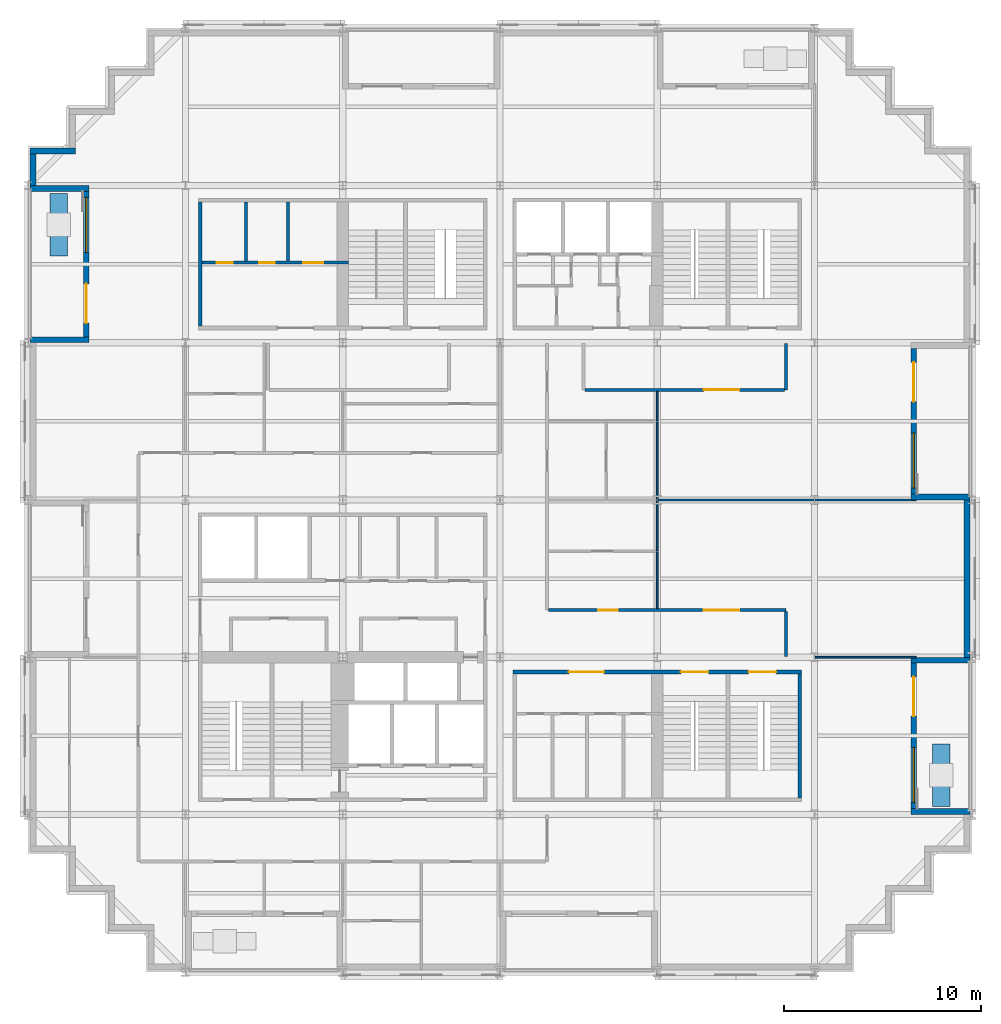
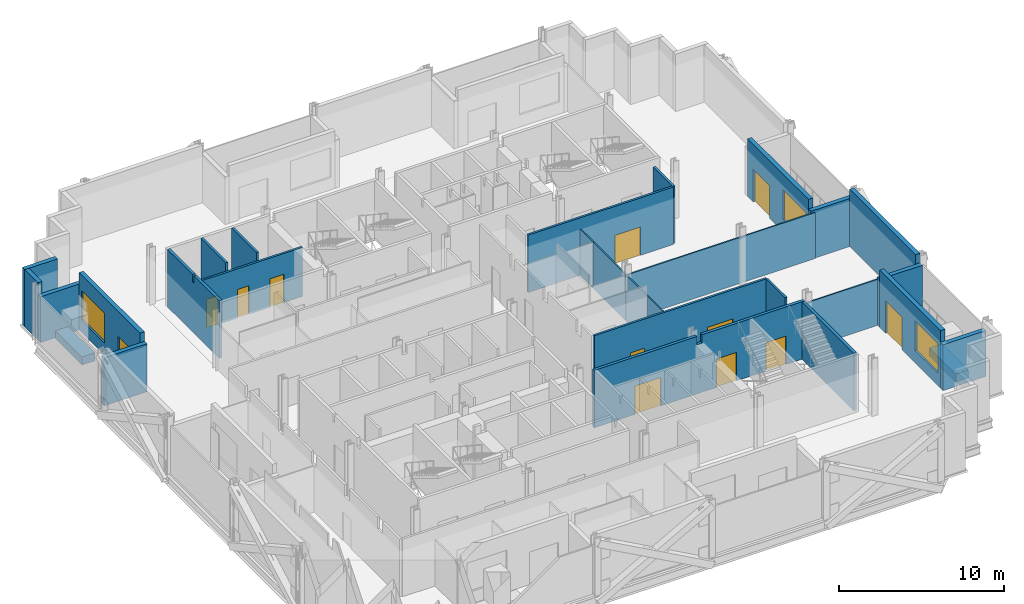
# One storey, part 8 of 14: 29 walls, 12 doors, 3 windows, 15 openings.
"""IFC4 building model written with IfcOpenShell, lengths in metres."""

from ifc_helpers import new_model, si_unit, direction, frame, frame_2d, origin, place, context, subcontext, project, spatial, polyline, rectangle, outline, extrude, material, layer, layer_set, type_object, element, fill, save


model = new_model("IFC4")

# Units and contexts
model_context = context("Model", 3, precision=1e-05, world=origin(), true_north=direction((0.0, 1.0)))
body_context = subcontext(model_context, "Body", "Model", "MODEL_VIEW")
ifc_project = project(units=[si_unit("LENGTHUNIT", "METRE"), si_unit("AREAUNIT", "SQUARE_METRE"), si_unit("VOLUMEUNIT", "CUBIC_METRE"), si_unit("PLANEANGLEUNIT", "RADIAN"), si_unit("MASSUNIT", "GRAM", prefix="KILO")], contexts=[model_context])

# Site, building, storey
site_placement = place(None, origin())
site = spatial("IfcSite", under=ifc_project, at=site_placement, CompositionType="ELEMENT")
building_placement = place(site_placement, origin())
building = spatial("IfcBuilding", under=site, at=building_placement, Name="Immortelle Media Tower", CompositionType="ELEMENT")
storey_placement = place(building_placement, frame((0.0, 0.0, 43.60009765625)))
storey = spatial("IfcBuildingStorey", under=building, at=storey_placement, Name="L06", CompositionType="ELEMENT", Elevation=43.60009765625)

# Wall, openings, doors
ifc_material_1 = material(Name="Fire-rated gypsum board", Category="gypsum")
ifc_layer_1 = layer(ifc_material_1, 0.02490234375)
ifc_material_2 = material(Name="Steel ASTM A653 SS Gr 50 stud frame with mineral wool", Category="steel")
ifc_layer_2 = layer(ifc_material_2, 0.10009765625)
ifc_layer_3 = layer(ifc_material_1, 0.02490234375)
ifc_layer_set_1 = layer_set([ifc_layer_1, ifc_layer_2, ifc_layer_3], Name="Steel ASTM A653 SS Gr 50 stud frame with mineral wool")
wall_type_1 = type_object("IfcWallType", Name="Core partition 150", PredefinedType="PARTITIONING", material=ifc_layer_set_1)
wall_1_placement = place(storey_placement, frame((8.85009765625, 36.074951171875, 0.0), z_axis=(0.0, 0.0, 1.0), x_axis=(1.0, 0.0, 0.0)))
wall_1 = element("IfcWall", 1, at=wall_1_placement, inside=storey, type_object=wall_type_1, Name="Core partition NW", PredefinedType="PARTITIONING", context=body_context, shape_type="SweptSolid", body=[
    extrude(rectangle(XDim=7.449951171875, YDim=0.14990234375, at=frame_2d((3.72509765625, 0.0))), origin(), (0.0, 0.0, 1.0), 3.6318359375),
])
opening_1_placement = place(wall_1_placement, frame((0.75, 0.0, 0.0)))
opening_1 = element("IfcOpeningElement", 2, at=opening_1_placement, cuts=wall_1, Name="Opening N1-K044", PredefinedType="OPENING", context=body_context, shape_type="SweptSolid", body=[
    extrude(rectangle(XDim=0.800048828125, YDim=2.10009765625, at=frame_2d((0.39990234375, 1.050048828125))), frame((0.0, 0.0849609375, 0.0), z_axis=(0.0, -1.0, 0.0), x_axis=(1.0, 0.0, 0.0)), (0.0, 0.0, 1.0), 0.169921875),
])
opening_2_placement = place(wall_1_placement, frame((2.89990234375, 0.0, 0.0)))
opening_2 = element("IfcOpeningElement", 3, at=opening_2_placement, cuts=wall_1, Name="Opening N1-K045", PredefinedType="OPENING", context=body_context, shape_type="SweptSolid", body=[
    extrude(rectangle(XDim=0.800048828125, YDim=2.10009765625, at=frame_2d((0.39990234375, 1.050048828125))), frame((0.0, 0.0849609375, 0.0), z_axis=(0.0, -1.0, 0.0), x_axis=(1.0, 0.0, 0.0)), (0.0, 0.0, 1.0), 0.169921875),
])
opening_3_placement = place(wall_1_placement, frame((5.14990234375, 0.0, 0.0)))
opening_3 = element("IfcOpeningElement", 4, at=opening_3_placement, cuts=wall_1, Name="Opening N1-K046", PredefinedType="OPENING", context=body_context, shape_type="SweptSolid", body=[
    extrude(rectangle(XDim=1.0, YDim=2.10009765625, at=frame_2d((0.5, 1.050048828125))), frame((0.0, 0.0849609375, 0.0), z_axis=(0.0, -1.0, 0.0), x_axis=(1.0, 0.0, 0.0)), (0.0, 0.0, 1.0), 0.169921875),
])
ifc_material_3 = material(Name="Timber", Category="wood")
door_type_1 = type_object("IfcDoorType", Name="Accessible toilet door 1000 x 2100", OperationType="NOTDEFINED", PredefinedType="NOTDEFINED", material=ifc_material_3)
door_1_placement = place(opening_3_placement, origin())
door_1 = element("IfcDoor", 5, at=door_1_placement, inside=storey, type_object=door_type_1, Name="Accessible toilet N1-K046", OperationType="SINGLE_SWING_RIGHT", OverallHeight=2.10009765625, OverallWidth=1.0, PredefinedType="NOTDEFINED", context=body_context, shape_type="SweptSolid", body=[
    extrude(rectangle(XDim=1.0, YDim=2.10009765625, at=frame_2d((0.5, 1.050048828125))), frame((0.0, 0.02490234375, 0.0), z_axis=(0.0, -1.0, 0.0), x_axis=(1.0, 0.0, 0.0)), (0.0, 0.0, 1.0), 0.050048828125),
])
fill(opening_3, door_1)
door_type_2 = type_object("IfcDoorType", Name="Toilet door 800 x 2100", OperationType="NOTDEFINED", PredefinedType="NOTDEFINED", material=ifc_material_3)
door_2_placement = place(opening_1_placement, origin())
door_2 = element("IfcDoor", 6, at=door_2_placement, inside=storey, type_object=door_type_2, Name="Toilet N1-K044", OperationType="SINGLE_SWING_RIGHT", OverallHeight=2.10009765625, OverallWidth=0.800048828125, PredefinedType="NOTDEFINED", context=body_context, shape_type="SweptSolid", body=[
    extrude(rectangle(XDim=0.800048828125, YDim=2.10009765625, at=frame_2d((0.39990234375, 1.050048828125))), frame((0.0, 0.02490234375, 0.0), z_axis=(0.0, -1.0, 0.0), x_axis=(1.0, 0.0, 0.0)), (0.0, 0.0, 1.0), 0.050048828125),
])
fill(opening_1, door_2)
door_3_placement = place(opening_2_placement, origin())
door_3 = element("IfcDoor", 7, at=door_3_placement, inside=storey, type_object=door_type_2, Name="Toilet N1-K045", OperationType="SINGLE_SWING_LEFT", OverallHeight=2.10009765625, OverallWidth=0.800048828125, PredefinedType="NOTDEFINED", context=body_context, shape_type="SweptSolid", body=[
    extrude(rectangle(XDim=0.800048828125, YDim=2.10009765625, at=frame_2d((0.39990234375, 1.050048828125))), frame((0.0, 0.02490234375, 0.0), z_axis=(0.0, -1.0, 0.0), x_axis=(1.0, 0.0, 0.0)), (0.0, 0.0, 1.0), 0.050048828125),
])
fill(opening_2, door_3)

# Walls
for number, where, z_axis, x_axis, name in (
    (8, (11.074951171875, 36.14990234375, 0.0), (0.0, 0.0, 1.0), (0.0, 1.0, 0.0), "Core partition NW"),
    (9, (13.22509765625, 36.14990234375, 0.0), (0.0, 0.0, 1.0), (0.0, 1.0, 0.0), "Core partition NW"),
):
    element("IfcWall", number, at=place(storey_placement, frame(where, z_axis=z_axis, x_axis=x_axis)), inside=storey, type_object=wall_type_1, Name=name, PredefinedType="PARTITIONING", context=body_context, shape_type="SweptSolid", body=[
        extrude(rectangle(XDim=3.0, YDim=0.14990234375, at=frame_2d((1.5, 0.0))), origin(), (0.0, 0.0, 1.0), 4.25),
    ])
ifc_layer_4 = layer(ifc_material_1, 0.03759765625)
ifc_layer_5 = layer(ifc_material_2, 0.125)
ifc_layer_6 = layer(ifc_material_1, 0.03759765625)
ifc_layer_set_2 = layer_set([ifc_layer_4, ifc_layer_5, ifc_layer_6], Name="Steel ASTM A653 SS Gr 50 stud frame with mineral wool")
wall_type_2 = type_object("IfcWallType", Name="Core shaft wall 200", PredefinedType="PARTITIONING", material=ifc_layer_set_2)
wall_2_placement = place(storey_placement, frame((8.75, 32.85009765625, 0.0), z_axis=(0.0, 0.0, 1.0), x_axis=(0.0, 1.0, 0.0)))
element("IfcWall", 10, at=wall_2_placement, inside=storey, type_object=wall_type_2, Name="Core shaft wall NW", PredefinedType="PARTITIONING", context=body_context, shape_type="SweptSolid", body=[
    extrude(outline(polyline([(0.0, 0.0), (6.2998046875, 0.0), (6.300048828125, 4.25), (3.238525390625, 4.25), (3.237548828125, 3.7080078125), (3.0625, 3.7080078125), (3.0615234375, 4.25), (0.0, 4.25), (0.0, 0.0)])), frame((0.0, 0.10009765625, 0.0), z_axis=(0.0, -1.0, 0.0), x_axis=(1.0, 0.0, 0.0)), (0.0, 0.0, 1.0), 0.199951171875),
])
ifc_layer_7 = layer(ifc_material_1, 0.012451171875)
ifc_layer_8 = layer(ifc_material_2, 0.125)
ifc_layer_9 = layer(ifc_material_1, 0.012451171875)
ifc_layer_set_3 = layer_set([ifc_layer_7, ifc_layer_8, ifc_layer_9], Name="Steel ASTM A653 SS Gr 50 stud frame with mineral wool")
wall_type_3 = type_object("IfcWallType", Name="Corridor wall 150", PredefinedType="PARTITIONING", material=ifc_layer_set_3)
wall_3_placement = place(storey_placement, frame((38.550048828125, 16.030029296875, 0.0), z_axis=(0.0, 0.0, 1.0), x_axis=(0.0, 1.0, 0.0)))
element("IfcWall", 11, at=wall_3_placement, inside=storey, type_object=wall_type_3, Name="Partition L06-014", PredefinedType="PARTITIONING", context=body_context, shape_type="SweptSolid", body=[
    extrude(rectangle(XDim=2.294921875, YDim=0.14990234375, at=frame_2d((1.1474609375, 0.0))), origin(), (0.0, 0.0, 1.0), 4.25),
])

# Wall, openings, doors
wall_4_placement = place(storey_placement, frame((26.47509765625, 18.39990234375, 0.0), z_axis=(0.0, 0.0, 1.0), x_axis=(1.0, 0.0, 0.0)))
wall_4 = element("IfcWall", 12, at=wall_4_placement, inside=storey, type_object=wall_type_3, Name="Partition L06-015", PredefinedType="PARTITIONING", context=body_context, shape_type="SweptSolid", body=[
    extrude(rectangle(XDim=12.074951171875, YDim=0.14990234375, at=frame_2d((6.03759765625, 0.0))), origin(), (0.0, 0.0, 1.0), 4.25),
])
opening_4_placement = place(wall_4_placement, frame((7.89990234375, 0.0, 0.0)))
opening_4 = element("IfcOpeningElement", 13, at=opening_4_placement, cuts=wall_4, Name="Opening N1-F010", PredefinedType="OPENING", context=body_context, shape_type="SweptSolid", body=[
    extrude(rectangle(XDim=1.800048828125, YDim=2.10009765625, at=frame_2d((0.89990234375, 1.050048828125))), frame((0.0, 0.0849609375, 0.0), z_axis=(0.0, -1.0, 0.0), x_axis=(1.0, 0.0, 0.0)), (0.0, 0.0, 1.0), 0.169921875),
])
opening_5_placement = place(wall_4_placement, frame((2.52490234375, 0.0, 0.0)))
opening_5 = element("IfcOpeningElement", 14, at=opening_5_placement, cuts=wall_4, Name="Opening N1-F011", PredefinedType="OPENING", context=body_context, shape_type="SweptSolid", body=[
    extrude(rectangle(XDim=1.0, YDim=2.10009765625, at=frame_2d((0.5, 1.050048828125))), frame((0.0, 0.0849609375, 0.0), z_axis=(0.0, -1.0, 0.0), x_axis=(1.0, 0.0, 0.0)), (0.0, 0.0, 1.0), 0.169921875),
])
ifc_material_4 = material(Name="Timber veneered door leaf, galvanised steel frame ASTM A653", Category="steel")
door_type_3 = type_object("IfcDoorType", Name="Room door 1000 x 2100", OperationType="NOTDEFINED", PredefinedType="DOOR", material=ifc_material_4)
door_4_placement = place(opening_5_placement, origin())
door_4 = element("IfcDoor", 15, at=door_4_placement, inside=storey, type_object=door_type_3, Name="Door N1-F011", OperationType="SINGLE_SWING_RIGHT", OverallHeight=2.10009765625, OverallWidth=1.0, PredefinedType="DOOR", context=body_context, shape_type="SweptSolid", body=[
    extrude(rectangle(XDim=1.0, YDim=2.10009765625, at=frame_2d((0.5, 1.050048828125))), frame((0.0, 0.02490234375, 0.0), z_axis=(0.0, -1.0, 0.0), x_axis=(1.0, 0.0, 0.0)), (0.0, 0.0, 1.0), 0.050048828125),
])
fill(opening_5, door_4)
door_type_4 = type_object("IfcDoorType", Name="Room door 1800 x 2100", OperationType="DOUBLE_DOOR_SINGLE_SWING", PredefinedType="DOOR", material=ifc_material_4)
door_5_placement = place(opening_4_placement, origin())
door_5 = element("IfcDoor", 16, at=door_5_placement, inside=storey, type_object=door_type_4, Name="Door N1-F010", OperationType="DOUBLE_DOOR_SINGLE_SWING", OverallHeight=2.10009765625, OverallWidth=1.800048828125, PredefinedType="DOOR", context=body_context, shape_type="SweptSolid", body=[
    extrude(rectangle(XDim=1.800048828125, YDim=2.10009765625, at=frame_2d((0.89990234375, 1.050048828125))), frame((0.0, 0.02490234375, 0.0), z_axis=(0.0, -1.0, 0.0), x_axis=(1.0, 0.0, 0.0)), (0.0, 0.0, 1.0), 0.050048828125),
])
fill(opening_4, door_5)

# Wall, opening, door
wall_5_placement = place(storey_placement, frame((28.324951171875, 29.60009765625, 0.0), z_axis=(0.0, 0.0, 1.0), x_axis=(1.0, 0.0, 0.0)))
wall_5 = element("IfcWall", 17, at=wall_5_placement, inside=storey, type_object=wall_type_3, Name="Partition L06-042", PredefinedType="PARTITIONING", context=body_context, shape_type="SweptSolid", body=[
    extrude(rectangle(XDim=10.150146484375, YDim=0.14990234375, at=frame_2d((5.0751953125, 0.0))), origin(), (0.0, 0.0, 1.0), 4.25),
])
opening_6_placement = place(wall_5_placement, frame((6.050048828125, 0.0, 0.0)))
opening_6 = element("IfcOpeningElement", 18, at=opening_6_placement, cuts=wall_5, Name="Opening N1-F021", PredefinedType="OPENING", context=body_context, shape_type="SweptSolid", body=[
    extrude(rectangle(XDim=1.800048828125, YDim=2.10009765625, at=frame_2d((0.89990234375, 1.050048828125))), frame((0.0, 0.0849609375, 0.0), z_axis=(0.0, -1.0, 0.0), x_axis=(1.0, 0.0, 0.0)), (0.0, 0.0, 1.0), 0.169921875),
])
door_6_placement = place(opening_6_placement, origin())
door_6 = element("IfcDoor", 19, at=door_6_placement, inside=storey, type_object=door_type_4, Name="Door N1-F021", OperationType="DOUBLE_DOOR_SINGLE_SWING", OverallHeight=2.10009765625, OverallWidth=1.800048828125, PredefinedType="DOOR", context=body_context, shape_type="SweptSolid", body=[
    extrude(rectangle(XDim=1.800048828125, YDim=2.10009765625, at=frame_2d((0.89990234375, 1.050048828125))), frame((0.0, 0.02490234375, 0.0), z_axis=(0.0, -1.0, 0.0), x_axis=(1.0, 0.0, 0.0)), (0.0, 0.0, 1.0), 0.050048828125),
])
fill(opening_6, door_6)

# Walls
wall_6_placement = place(storey_placement, frame((38.550048828125, 29.60009765625, 0.0), z_axis=(0.0, 0.0, 1.0), x_axis=(0.0, 1.0, 0.0)))
element("IfcWall", 20, at=wall_6_placement, inside=storey, type_object=wall_type_3, Name="Partition L06-044", PredefinedType="PARTITIONING", context=body_context, shape_type="SweptSolid", body=[
    extrude(rectangle(XDim=2.369873046875, YDim=0.14990234375, at=frame_2d((1.18505859375, 0.0))), origin(), (0.0, 0.0, 1.0), 4.25),
])
ifc_material_5 = material(Name="Pale aluminium cladding panel", Category="aluminium")
ifc_layer_10 = layer(ifc_material_5, 0.030029296875)
ifc_layer_11 = layer(ifc_material_2, 0.257568359375)
ifc_material_6 = material(Name="Moisture-resistant gypsum board", Category="gypsum")
ifc_layer_12 = layer(ifc_material_6, 0.012451171875)
ifc_layer_set_4 = layer_set([ifc_layer_10, ifc_layer_11, ifc_layer_12], Name="Steel ASTM A653 SS Gr 50 stud frame with mineral wool")
wall_type_4 = type_object("IfcWallType", Name="Facade wall 300", PredefinedType="SOLIDWALL", material=ifc_layer_set_4)
wall_7_placement = place(storey_placement, frame((0.25, 41.60009765625, 0.0), z_axis=(0.0, 0.0, 1.0), x_axis=(0.0, -1.0, 0.0)))
element("IfcWall", 21, at=wall_7_placement, inside=storey, type_object=wall_type_4, Name="Facade wall L06 W0", PredefinedType="SOLIDWALL", context=body_context, shape_type="SweptSolid", body=[
    extrude(rectangle(XDim=1.60009765625, YDim=0.300048828125, at=frame_2d((0.800048828125, 0.0))), origin(), (0.0, 0.0, 1.0), 4.25),
])

# Wall, openings, door, window
wall_8_placement = place(storey_placement, frame((2.949951171875, 39.699951171875, 0.0), z_axis=(0.0, 0.0, 1.0), x_axis=(0.0, -1.0, 0.0)))
wall_8 = element("IfcWall", 22, at=wall_8_placement, inside=storey, type_object=wall_type_4, Name="Loggia wall L06 W0", PredefinedType="SOLIDWALL", context=body_context, shape_type="SweptSolid", body=[
    extrude(rectangle(XDim=7.39990234375, YDim=0.300048828125, at=frame_2d((3.699951171875, 0.0))), origin(), (0.0, 0.0, 1.0), 4.25),
])
opening_7_placement = place(wall_8_placement, frame((0.300048828125, 0.0, 0.89990234375)))
opening_7 = element("IfcOpeningElement", 23, at=opening_7_placement, cuts=wall_8, Name="Opening W1", PredefinedType="OPENING", context=body_context, shape_type="SweptSolid", body=[
    extrude(rectangle(XDim=2.800048828125, YDim=2.199951171875, at=frame_2d((1.39990234375, 1.10009765625))), frame((0.0, 0.159912109375, 0.0), z_axis=(0.0, -1.0, 0.0), x_axis=(1.0, 0.0, 0.0)), (0.0, 0.0, 1.0), 0.320068359375),
])
opening_8_placement = place(wall_8_placement, frame((4.699951171875, 0.0, 0.0)))
opening_8 = element("IfcOpeningElement", 24, at=opening_8_placement, cuts=wall_8, Name="Opening N1-E001", PredefinedType="OPENING", context=body_context, shape_type="SweptSolid", body=[
    extrude(rectangle(XDim=2.0, YDim=2.39990234375, at=frame_2d((1.0, 1.199951171875))), frame((0.0, 0.159912109375, 0.0), z_axis=(0.0, -1.0, 0.0), x_axis=(1.0, 0.0, 0.0)), (0.0, 0.0, 1.0), 0.320068359375),
])
ifc_material_7 = material(Name="Aluminium frame, glazed leaves", Category="aluminium")
door_type_5 = type_object("IfcDoorType", Name="Loggia door 2000 x 2400", OperationType="DOUBLE_DOOR_SINGLE_SWING", PredefinedType="DOOR", material=ifc_material_7)
door_7_placement = place(opening_8_placement, origin())
door_7 = element("IfcDoor", 25, at=door_7_placement, inside=storey, type_object=door_type_5, Name="Door N1-E001", OperationType="DOUBLE_DOOR_SINGLE_SWING", OverallHeight=2.39990234375, OverallWidth=2.0, PredefinedType="DOOR", context=body_context, shape_type="SweptSolid", body=[
    extrude(rectangle(XDim=2.0, YDim=2.39990234375, at=frame_2d((1.0, 1.199951171875))), frame((0.0, 0.02490234375, 0.0), z_axis=(0.0, -1.0, 0.0), x_axis=(1.0, 0.0, 0.0)), (0.0, 0.0, 1.0), 0.050048828125),
])
fill(opening_8, door_7)
ifc_material_8 = material(Name="Aluminium frame", Category="aluminium")
window_type = type_object("IfcWindowType", Name="Window 2800 x 2200", PartitioningType="SINGLE_PANEL", PredefinedType="WINDOW", material=ifc_material_8)
window_1_placement = place(opening_7_placement, origin())
window_1 = element("IfcWindow", 26, at=window_1_placement, inside=storey, type_object=window_type, Name="Window L06 L06-R0-B0", OverallHeight=2.199951171875, OverallWidth=2.800048828125, PartitioningType="SINGLE_PANEL", PredefinedType="WINDOW", context=body_context, shape_type="SweptSolid", body=[
    extrude(rectangle(XDim=2.800048828125, YDim=2.199951171875, at=frame_2d((1.39990234375, 1.10009765625))), frame((0.0, 0.030029296875, 0.0), z_axis=(0.0, -1.0, 0.0), x_axis=(1.0, 0.0, 0.0)), (0.0, 0.0, 1.0), 0.06005859375),
])
fill(opening_7, window_1)

# Walls
wall_9_placement = place(storey_placement, frame((0.10009765625, 39.85009765625, 0.0), z_axis=(0.0, 0.0, 1.0), x_axis=(1.0, 0.0, 0.0)))
element("IfcWall", 27, at=wall_9_placement, inside=storey, type_object=wall_type_4, Name="Loggia cheek wall L06 W", PredefinedType="SOLIDWALL", context=body_context, shape_type="SweptSolid", body=[
    extrude(rectangle(XDim=3.0, YDim=0.300048828125, at=frame_2d((1.5, 0.0))), origin(), (0.0, 0.0, 1.0), 3.389892578125),
])
wall_10_placement = place(storey_placement, frame((0.10009765625, 32.14990234375, 0.0), z_axis=(0.0, 0.0, 1.0), x_axis=(1.0, 0.0, 0.0)))
element("IfcWall", 28, at=wall_10_placement, inside=storey, type_object=wall_type_4, Name="Loggia cheek wall L06 W", PredefinedType="SOLIDWALL", context=body_context, shape_type="SweptSolid", body=[
    extrude(rectangle(XDim=3.0, YDim=0.300048828125, at=frame_2d((1.5, 0.0))), origin(), (0.0, 0.0, 1.0), 3.552978515625),
])

# Wall, openings, door, window
wall_11_placement = place(storey_placement, frame((45.050048828125, 8.300048828125, 0.0), z_axis=(0.0, 0.0, 1.0), x_axis=(0.0, 1.0, 0.0)))
wall_11 = element("IfcWall", 29, at=wall_11_placement, inside=storey, type_object=wall_type_4, Name="Loggia wall L06 E14", PredefinedType="SOLIDWALL", context=body_context, shape_type="SweptSolid", body=[
    extrude(rectangle(XDim=7.39990234375, YDim=0.300048828125, at=frame_2d((3.699951171875, 0.0))), origin(), (0.0, 0.0, 1.0), 4.25),
])
opening_9_placement = place(wall_11_placement, frame((0.300048828125, 0.0, 0.89990234375)))
opening_9 = element("IfcOpeningElement", 30, at=opening_9_placement, cuts=wall_11, Name="Opening W1", PredefinedType="OPENING", context=body_context, shape_type="SweptSolid", body=[
    extrude(rectangle(XDim=2.800048828125, YDim=2.199951171875, at=frame_2d((1.39990234375, 1.10009765625))), frame((0.0, 0.159912109375, 0.0), z_axis=(0.0, -1.0, 0.0), x_axis=(1.0, 0.0, 0.0)), (0.0, 0.0, 1.0), 0.320068359375),
])
opening_10_placement = place(wall_11_placement, frame((4.699951171875, 0.0, 0.0)))
opening_10 = element("IfcOpeningElement", 31, at=opening_10_placement, cuts=wall_11, Name="Opening N1-E005", PredefinedType="OPENING", context=body_context, shape_type="SweptSolid", body=[
    extrude(rectangle(XDim=2.0, YDim=2.39990234375, at=frame_2d((1.0, 1.199951171875))), frame((0.0, 0.159912109375, 0.0), z_axis=(0.0, -1.0, 0.0), x_axis=(1.0, 0.0, 0.0)), (0.0, 0.0, 1.0), 0.320068359375),
])
door_8_placement = place(opening_10_placement, origin())
door_8 = element("IfcDoor", 32, at=door_8_placement, inside=storey, type_object=door_type_5, Name="Door N1-E005", OperationType="DOUBLE_DOOR_SINGLE_SWING", OverallHeight=2.39990234375, OverallWidth=2.0, PredefinedType="DOOR", context=body_context, shape_type="SweptSolid", body=[
    extrude(rectangle(XDim=2.0, YDim=2.39990234375, at=frame_2d((1.0, 1.199951171875))), frame((0.0, 0.02490234375, 0.0), z_axis=(0.0, -1.0, 0.0), x_axis=(1.0, 0.0, 0.0)), (0.0, 0.0, 1.0), 0.050048828125),
])
fill(opening_10, door_8)
window_2_placement = place(opening_9_placement, origin())
window_2 = element("IfcWindow", 33, at=window_2_placement, inside=storey, type_object=window_type, Name="Window L06 L06-R14-B0", OverallHeight=2.199951171875, OverallWidth=2.800048828125, PartitioningType="SINGLE_PANEL", PredefinedType="WINDOW", context=body_context, shape_type="SweptSolid", body=[
    extrude(rectangle(XDim=2.800048828125, YDim=2.199951171875, at=frame_2d((1.39990234375, 1.10009765625))), frame((0.0, 0.030029296875, 0.0), z_axis=(0.0, -1.0, 0.0), x_axis=(1.0, 0.0, 0.0)), (0.0, 0.0, 1.0), 0.06005859375),
])
fill(opening_9, window_2)

# Walls
wall_12_placement = place(storey_placement, frame((47.89990234375, 8.14990234375, 0.0), z_axis=(0.0, 0.0, 1.0), x_axis=(-1.0, 0.0, 0.0)))
element("IfcWall", 34, at=wall_12_placement, inside=storey, type_object=wall_type_4, Name="Loggia cheek wall L06 E", PredefinedType="SOLIDWALL", context=body_context, shape_type="SweptSolid", body=[
    extrude(rectangle(XDim=3.0, YDim=0.300048828125, at=frame_2d((1.5, 0.0))), origin(), (0.0, 0.0, 1.0), 3.389892578125),
])
wall_13_placement = place(storey_placement, frame((47.89990234375, 15.85009765625, 0.0), z_axis=(0.0, 0.0, 1.0), x_axis=(-1.0, 0.0, 0.0)))
element("IfcWall", 35, at=wall_13_placement, inside=storey, type_object=wall_type_4, Name="Loggia cheek wall L06 E", PredefinedType="SOLIDWALL", context=body_context, shape_type="SweptSolid", body=[
    extrude(rectangle(XDim=3.0, YDim=0.300048828125, at=frame_2d((1.5, 0.0))), origin(), (0.0, 0.0, 1.0), 3.552978515625),
])
wall_14_placement = place(storey_placement, frame((47.75, 16.0, 0.0), z_axis=(0.0, 0.0, 1.0), x_axis=(0.0, 1.0, 0.0)))
element("IfcWall", 36, at=wall_14_placement, inside=storey, type_object=wall_type_4, Name="Facade wall L06 E14", PredefinedType="SOLIDWALL", context=body_context, shape_type="SweptSolid", body=[
    extrude(rectangle(XDim=8.0, YDim=0.300048828125, at=frame_2d((4.0, 0.0))), origin(), (0.0, 0.0, 1.0), 4.25),
])

# Wall, openings, door, window
wall_15_placement = place(storey_placement, frame((45.050048828125, 24.300048828125, 0.0), z_axis=(0.0, 0.0, 1.0), x_axis=(0.0, 1.0, 0.0)))
wall_15 = element("IfcWall", 37, at=wall_15_placement, inside=storey, type_object=wall_type_4, Name="Loggia wall L06 E14", PredefinedType="SOLIDWALL", context=body_context, shape_type="SweptSolid", body=[
    extrude(rectangle(XDim=7.39990234375, YDim=0.300048828125, at=frame_2d((3.699951171875, 0.0))), origin(), (0.0, 0.0, 1.0), 4.25),
])
opening_11_placement = place(wall_15_placement, frame((0.300048828125, 0.0, 0.89990234375)))
opening_11 = element("IfcOpeningElement", 38, at=opening_11_placement, cuts=wall_15, Name="Opening W1", PredefinedType="OPENING", context=body_context, shape_type="SweptSolid", body=[
    extrude(rectangle(XDim=2.800048828125, YDim=2.199951171875, at=frame_2d((1.39990234375, 1.10009765625))), frame((0.0, 0.159912109375, 0.0), z_axis=(0.0, -1.0, 0.0), x_axis=(1.0, 0.0, 0.0)), (0.0, 0.0, 1.0), 0.320068359375),
])
opening_12_placement = place(wall_15_placement, frame((4.699951171875, 0.0, 0.0)))
opening_12 = element("IfcOpeningElement", 39, at=opening_12_placement, cuts=wall_15, Name="Opening N1-E006", PredefinedType="OPENING", context=body_context, shape_type="SweptSolid", body=[
    extrude(rectangle(XDim=2.0, YDim=2.39990234375, at=frame_2d((1.0, 1.199951171875))), frame((0.0, 0.159912109375, 0.0), z_axis=(0.0, -1.0, 0.0), x_axis=(1.0, 0.0, 0.0)), (0.0, 0.0, 1.0), 0.320068359375),
])
door_9_placement = place(opening_12_placement, origin())
door_9 = element("IfcDoor", 40, at=door_9_placement, inside=storey, type_object=door_type_5, Name="Door N1-E006", OperationType="DOUBLE_DOOR_SINGLE_SWING", OverallHeight=2.39990234375, OverallWidth=2.0, PredefinedType="DOOR", context=body_context, shape_type="SweptSolid", body=[
    extrude(rectangle(XDim=2.0, YDim=2.39990234375, at=frame_2d((1.0, 1.199951171875))), frame((0.0, 0.02490234375, 0.0), z_axis=(0.0, -1.0, 0.0), x_axis=(1.0, 0.0, 0.0)), (0.0, 0.0, 1.0), 0.050048828125),
])
fill(opening_12, door_9)
window_3_placement = place(opening_11_placement, origin())
window_3 = element("IfcWindow", 41, at=window_3_placement, inside=storey, type_object=window_type, Name="Window L06 L06-R14-B2", OverallHeight=2.199951171875, OverallWidth=2.800048828125, PartitioningType="SINGLE_PANEL", PredefinedType="WINDOW", context=body_context, shape_type="SweptSolid", body=[
    extrude(rectangle(XDim=2.800048828125, YDim=2.199951171875, at=frame_2d((1.39990234375, 1.10009765625))), frame((0.0, 0.030029296875, 0.0), z_axis=(0.0, -1.0, 0.0), x_axis=(1.0, 0.0, 0.0)), (0.0, 0.0, 1.0), 0.06005859375),
])
fill(opening_11, window_3)

# Walls
wall_16_placement = place(storey_placement, frame((47.89990234375, 24.14990234375, 0.0), z_axis=(0.0, 0.0, 1.0), x_axis=(-1.0, 0.0, 0.0)))
element("IfcWall", 42, at=wall_16_placement, inside=storey, type_object=wall_type_4, Name="Loggia cheek wall L06 E", PredefinedType="SOLIDWALL", context=body_context, shape_type="SweptSolid", body=[
    extrude(rectangle(XDim=3.0, YDim=0.300048828125, at=frame_2d((1.5, 0.0))), origin(), (0.0, 0.0, 1.0), 3.552978515625),
])
wall_17_placement = place(storey_placement, frame((2.39990234375, 41.75, 0.0), z_axis=(0.0, 0.0, 1.0), x_axis=(-1.0, 0.0, 0.0)))
element("IfcWall", 43, at=wall_17_placement, inside=storey, type_object=wall_type_4, Name="Facade wall L06 N27", PredefinedType="SOLIDWALL", context=body_context, shape_type="SweptSolid", body=[
    extrude(rectangle(XDim=2.2998046875, YDim=0.300048828125, at=frame_2d((1.14990234375, 0.0))), origin(), (0.0, 0.0, 1.0), 4.25),
])
ifc_material_9 = material(Name="Gypsum board", Category="gypsum")
ifc_layer_13 = layer(ifc_material_9, 0.012451171875)
ifc_layer_14 = layer(ifc_material_2, 0.074951171875)
ifc_layer_15 = layer(ifc_material_9, 0.012451171875)
ifc_layer_set_5 = layer_set([ifc_layer_13, ifc_layer_14, ifc_layer_15], Name="Steel ASTM A653 SS Gr 50 stud frame with mineral wool")
wall_type_5 = type_object("IfcWallType", Name="Partition 100", PredefinedType="PARTITIONING", material=ifc_layer_set_5)
wall_18_placement = place(storey_placement, frame((40.030029296875, 16.0, 0.0), z_axis=(0.0, 0.0, 1.0), x_axis=(1.0, 0.0, 0.0)))
element("IfcWall", 44, at=wall_18_placement, inside=storey, type_object=wall_type_5, Name="Partition L06-013", PredefinedType="PARTITIONING", context=body_context, shape_type="SweptSolid", body=[
    extrude(rectangle(XDim=5.139892578125, YDim=0.10009765625, at=frame_2d((2.56982421875, 0.0))), origin(), (0.0, 0.0, 1.0), 3.390869140625),
])
wall_19_placement = place(storey_placement, frame((32.0, 18.47509765625, 0.0), z_axis=(0.0, 0.0, 1.0), x_axis=(0.0, 1.0, 0.0)))
element("IfcWall", 45, at=wall_19_placement, inside=storey, type_object=wall_type_5, Name="Partition L06-017", PredefinedType="PARTITIONING", context=body_context, shape_type="SweptSolid", body=[
    extrude(rectangle(XDim=2.875, YDim=0.10009765625, at=frame_2d((1.4375, 0.0))), origin(), (0.0, 0.0, 1.0), 3.390869140625),
])
wall_20_placement = place(storey_placement, frame((32.0, 21.39990234375, 0.0), z_axis=(0.0, 0.0, 1.0), x_axis=(0.0, 1.0, 0.0)))
element("IfcWall", 46, at=wall_20_placement, inside=storey, type_object=wall_type_5, Name="Partition L06-019", PredefinedType="PARTITIONING", context=body_context, shape_type="SweptSolid", body=[
    extrude(rectangle(XDim=2.550048828125, YDim=0.10009765625, at=frame_2d((1.27490234375, 0.0))), origin(), (0.0, 0.0, 1.0), 3.390869140625),
])
wall_21_placement = place(storey_placement, frame((32.050048828125, 24.0, 0.0), z_axis=(0.0, 0.0, 1.0), x_axis=(1.0, 0.0, 0.0)))
element("IfcWall", 47, at=wall_21_placement, inside=storey, type_object=wall_type_5, Name="Partition L06-024", PredefinedType="PARTITIONING", context=body_context, shape_type="SweptSolid", body=[
    extrude(rectangle(XDim=13.119873046875, YDim=0.10009765625, at=frame_2d((6.56005859375, 0.0))), origin(), (0.0, 0.0, 1.0), 3.390869140625),
])
wall_22_placement = place(storey_placement, frame((32.0, 24.0, 0.0), z_axis=(0.0, 0.0, 1.0), x_axis=(0.0, 1.0, 0.0)))
element("IfcWall", 48, at=wall_22_placement, inside=storey, type_object=wall_type_5, Name="Partition L06-025", PredefinedType="PARTITIONING", context=body_context, shape_type="SweptSolid", body=[
    extrude(rectangle(XDim=3.949951171875, YDim=0.10009765625, at=frame_2d((1.97509765625, 0.0))), origin(), (0.0, 0.0, 1.0), 3.390869140625),
])
wall_23_placement = place(storey_placement, frame((32.0, 28.0, 0.0), z_axis=(0.0, 0.0, 1.0), x_axis=(0.0, 1.0, 0.0)))
element("IfcWall", 49, at=wall_23_placement, inside=storey, type_object=wall_type_5, Name="Partition L06-033", PredefinedType="PARTITIONING", context=body_context, shape_type="SweptSolid", body=[
    extrude(rectangle(XDim=1.52490234375, YDim=0.10009765625, at=frame_2d((0.762451171875, 0.0))), origin(), (0.0, 0.0, 1.0), 3.390869140625),
])
ifc_layer_16 = layer(ifc_material_5, 0.0029296875)
ifc_material_10 = material(Name="Steel ASTM A572 Gr 50 planter shell", Category="steel")
ifc_layer_17 = layer(ifc_material_10, 0.011962890625)
ifc_material_11 = material(Name="Planting substrate", Category="soil")
ifc_layer_18 = layer(ifc_material_11, 0.873046875)
ifc_layer_19 = layer(ifc_material_10, 0.011962890625)
ifc_layer_set_6 = layer_set([ifc_layer_16, ifc_layer_17, ifc_layer_18, ifc_layer_19], Name="Steel ASTM A572 Gr 50 planter shell")
wall_type_6 = type_object("IfcWallType", Name="Planter wall 900", PredefinedType="SOLIDWALL", material=ifc_layer_set_6)
for number, where, z_axis, x_axis, name in (
    (50, (1.550048828125, 39.60009765625, 0.0), (0.0, 0.0, 1.0), (0.0, -1.0, 0.0), "Planter L06 W0"),
    (51, (46.449951171875, 8.39990234375, 0.0), (0.0, 0.0, 1.0), (0.0, 1.0, 0.0), "Planter L06 E0"),
):
    element("IfcWall", number, at=place(storey_placement, frame(where, z_axis=z_axis, x_axis=x_axis)), inside=storey, type_object=wall_type_6, Name=name, PredefinedType="SOLIDWALL", context=body_context, shape_type="SweptSolid", body=[
        extrude(rectangle(XDim=3.2001953125, YDim=0.89990234375, at=frame_2d((1.60009765625, 0.0))), origin(), (0.0, 0.0, 1.0), 0.599853515625),
    ])

# Wall, openings, doors
ifc_material_12 = material(Name="Concrete C60", Category="concrete")
ifc_layer_20 = layer(ifc_material_12, 0.199951171875)
ifc_layer_set_7 = layer_set([ifc_layer_20], Name="Concrete C60")
wall_type_7 = type_object("IfcWallType", Name="Stair shaft wall 200", PredefinedType="PARTITIONING", material=ifc_layer_set_7)
wall_24_placement = place(storey_placement, frame((24.64990234375, 15.25, 0.0), z_axis=(0.0, 0.0, 1.0), x_axis=(1.0, 0.0, 0.0)))
wall_24 = element("IfcWall", 52, at=wall_24_placement, inside=storey, type_object=wall_type_7, Name="Stair shaft wall SE", PredefinedType="PARTITIONING", context=body_context, shape_type="SweptSolid", body=[
    extrude(outline(polyline([(0.0, 0.0), (14.7001953125, 0.0), (14.699951171875, 4.25), (7.51708984375, 4.25), (7.51611328125, 3.6318359375), (7.18408203125, 3.6318359375), (7.18310546875, 4.25), (0.0, 4.25), (0.0, 0.0)])), frame((0.0, 0.10009765625, 0.0), z_axis=(0.0, -1.0, 0.0), x_axis=(1.0, 0.0, 0.0)), (0.0, 0.0, 1.0), 0.199951171875),
])
opening_13_placement = place(wall_24_placement, frame((2.85009765625, 0.0, 0.0)))
opening_13 = element("IfcOpeningElement", 53, at=opening_13_placement, cuts=wall_24, Name="Opening N1-K017", PredefinedType="OPENING", context=body_context, shape_type="SweptSolid", body=[
    extrude(rectangle(XDim=1.800048828125, YDim=2.10009765625, at=frame_2d((0.89990234375, 1.050048828125))), frame((0.0, 0.10986328125, 0.0), z_axis=(0.0, -1.0, 0.0), x_axis=(1.0, 0.0, 0.0)), (0.0, 0.0, 1.0), 0.219970703125),
])
opening_14_placement = place(wall_24_placement, frame((9.949951171875, 0.0, 0.0), z_axis=(0.0, 0.0, 1.0), x_axis=(-1.0, 0.0, 0.0)))
opening_14 = element("IfcOpeningElement", 54, at=opening_14_placement, cuts=wall_24, Name="Opening N1-K019", PredefinedType="OPENING", context=body_context, shape_type="SweptSolid", body=[
    extrude(rectangle(XDim=1.39990234375, YDim=2.10009765625, at=frame_2d((0.699951171875, 1.050048828125))), frame((0.0, 0.10986328125, 0.0), z_axis=(0.0, -1.0, 0.0), x_axis=(1.0, 0.0, 0.0)), (0.0, 0.0, 1.0), 0.219970703125),
])
opening_15_placement = place(wall_24_placement, frame((13.39990234375, 0.0, 0.0), z_axis=(0.0, 0.0, 1.0), x_axis=(-1.0, 0.0, 0.0)))
opening_15 = element("IfcOpeningElement", 55, at=opening_15_placement, cuts=wall_24, Name="Opening N1-K020", PredefinedType="OPENING", context=body_context, shape_type="SweptSolid", body=[
    extrude(rectangle(XDim=1.39990234375, YDim=2.10009765625, at=frame_2d((0.699951171875, 1.050048828125))), frame((0.0, 0.10986328125, 0.0), z_axis=(0.0, -1.0, 0.0), x_axis=(1.0, 0.0, 0.0)), (0.0, 0.0, 1.0), 0.219970703125),
])
ifc_material_13 = material(Name="Galvanised steel door leaf and frame ASTM A653", Category="steel")
door_type_6 = type_object("IfcDoorType", Name="Lift lobby door 1800 x 2100", OperationType="DOUBLE_DOOR_SINGLE_SWING", PredefinedType="NOTDEFINED", material=ifc_material_13)
door_10_placement = place(opening_13_placement, origin())
door_10 = element("IfcDoor", 56, at=door_10_placement, inside=storey, type_object=door_type_6, Name="Lift lobby N1-K017", OperationType="DOUBLE_DOOR_SINGLE_SWING", OverallHeight=2.10009765625, OverallWidth=1.800048828125, PredefinedType="NOTDEFINED", context=body_context, shape_type="SweptSolid", body=[
    extrude(rectangle(XDim=1.800048828125, YDim=2.10009765625, at=frame_2d((0.89990234375, 1.050048828125))), frame((0.0, 0.02490234375, 0.0), z_axis=(0.0, -1.0, 0.0), x_axis=(1.0, 0.0, 0.0)), (0.0, 0.0, 1.0), 0.050048828125),
])
fill(opening_13, door_10)
door_type_7 = type_object("IfcDoorType", Name="Stair door 1400 x 2100", OperationType="DOUBLE_DOOR_SINGLE_SWING", PredefinedType="NOTDEFINED", material=ifc_material_13)
door_11_placement = place(opening_14_placement, origin())
door_11 = element("IfcDoor", 57, at=door_11_placement, inside=storey, type_object=door_type_7, Name="Stair N1-K019", OperationType="DOUBLE_DOOR_SINGLE_SWING", OverallHeight=2.10009765625, OverallWidth=1.39990234375, PredefinedType="NOTDEFINED", context=body_context, shape_type="SweptSolid", body=[
    extrude(rectangle(XDim=1.39990234375, YDim=2.10009765625, at=frame_2d((0.699951171875, 1.050048828125))), frame((0.0, 0.02490234375, 0.0), z_axis=(0.0, -1.0, 0.0), x_axis=(1.0, 0.0, 0.0)), (0.0, 0.0, 1.0), 0.050048828125),
])
fill(opening_14, door_11)
door_12_placement = place(opening_15_placement, origin())
door_12 = element("IfcDoor", 58, at=door_12_placement, inside=storey, type_object=door_type_7, Name="Stair N1-K020", OperationType="DOUBLE_DOOR_SINGLE_SWING", OverallHeight=2.10009765625, OverallWidth=1.39990234375, PredefinedType="NOTDEFINED", context=body_context, shape_type="SweptSolid", body=[
    extrude(rectangle(XDim=1.39990234375, YDim=2.10009765625, at=frame_2d((0.699951171875, 1.050048828125))), frame((0.0, 0.02490234375, 0.0), z_axis=(0.0, -1.0, 0.0), x_axis=(1.0, 0.0, 0.0)), (0.0, 0.0, 1.0), 0.050048828125),
])
fill(opening_15, door_12)

# Wall
wall_25_placement = place(storey_placement, frame((39.25, 8.85009765625, 0.0), z_axis=(0.0, 0.0, 1.0), x_axis=(0.0, 1.0, 0.0)))
element("IfcWall", 59, at=wall_25_placement, inside=storey, type_object=wall_type_7, Name="Stair shaft wall SE", PredefinedType="PARTITIONING", context=body_context, shape_type="SweptSolid", body=[
    extrude(rectangle(XDim=6.2998046875, YDim=0.199951171875, at=frame_2d((3.14990234375, 0.0))), origin(), (0.0, 0.0, 1.0), 4.25),
])

save(model, "model.ifc")
